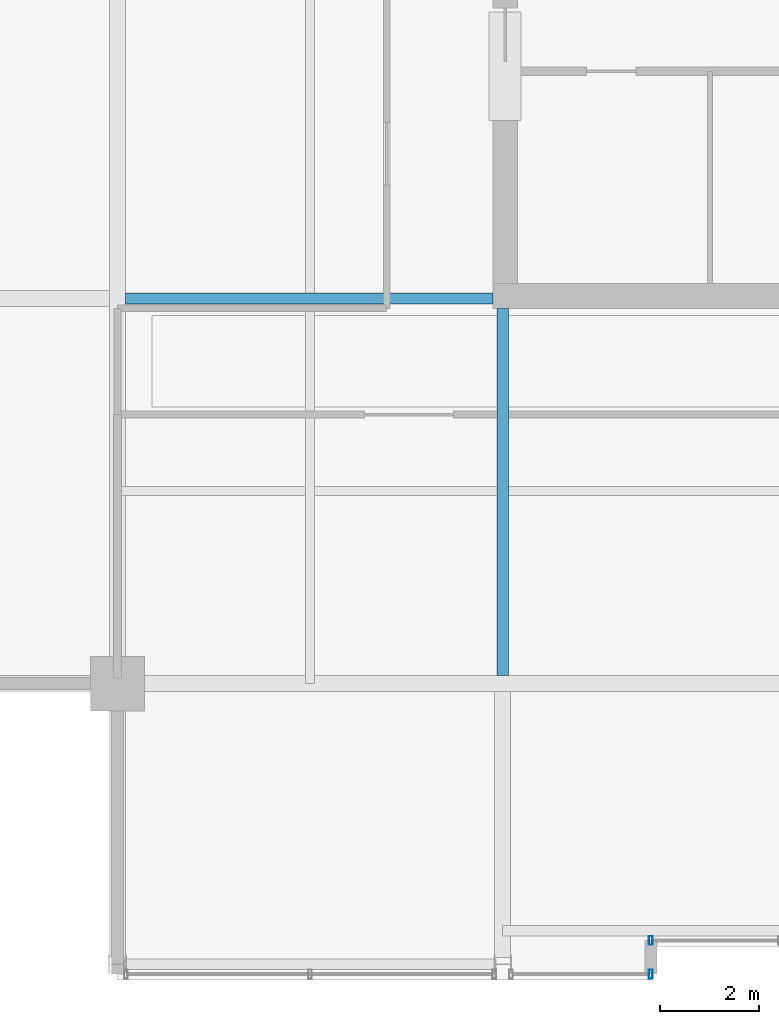
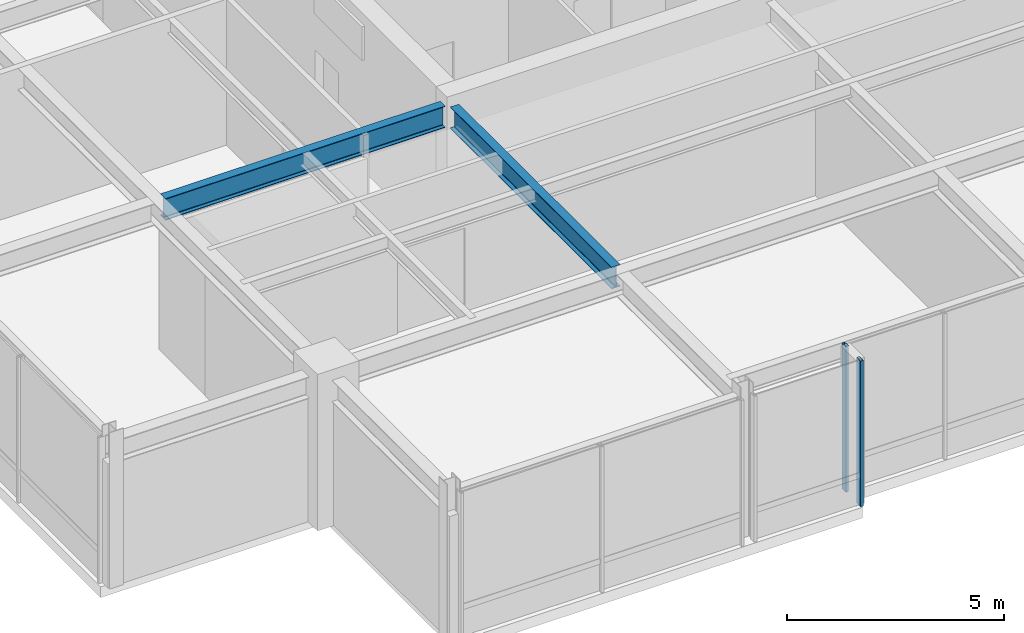
# One storey, part 7 of 34: 2 beams, 2 members, 2 elements without a shape of their own.
"""IFC4 building model written with IfcOpenShell, lengths in metres."""

from ifc_helpers import new_model, si_unit, direction, frame, origin, origin_2d, place, context, subcontext, project, spatial, hollow_rectangle, i_section, extrude, material, layer, layer_set, material_profile, profile_set, type_object, element, aggregate, save


model = new_model("IFC4")

# Units and contexts
model_context = context("Model", 3, precision=1e-05, world=origin(), true_north=direction((0.0, 1.0)))
body_context = subcontext(model_context, "Body", "Model", "MODEL_VIEW")
ifc_project = project(units=[si_unit("LENGTHUNIT", "METRE"), si_unit("AREAUNIT", "SQUARE_METRE"), si_unit("VOLUMEUNIT", "CUBIC_METRE"), si_unit("PLANEANGLEUNIT", "RADIAN"), si_unit("MASSUNIT", "GRAM", prefix="KILO")], contexts=[model_context])

# Site, building, storey
site_placement = place(None, origin())
site = spatial("IfcSite", under=ifc_project, at=site_placement, CompositionType="ELEMENT")
building_placement = place(site_placement, origin())
building = spatial("IfcBuilding", under=site, at=building_placement, Name="Drelvath Grand Hotel", CompositionType="ELEMENT")
storey_placement = place(building_placement, frame((0.0, 0.0, 294.199951171875)))
storey = spatial("IfcBuildingStorey", under=building, at=storey_placement, Name="L77", CompositionType="ELEMENT", Elevation=294.199951171875)

# Curtain wall, member
ifc_material_1 = material(Name="Platinum-Mist Anodised Aluminium Frame", Category="aluminium")
ifc_layer = layer(ifc_material_1, 0.199951171875)
ifc_layer_set = layer_set([ifc_layer], Name="Platinum-Mist Anodised Aluminium Frame")
curtain_wall_type = type_object("IfcCurtainWallType", Name="Stick Curtain Wall CW-05 Platinum Mist High-Rise", PredefinedType="NOTDEFINED", material=ifc_layer_set)
curtain_wall_1_placement = place(storey_placement, origin())
curtain_wall_1 = element("IfcCurtainWall", 1, at=curtain_wall_1_placement, inside=storey, type_object=curtain_wall_type, Name="L77 CW-05 Curtain Wall CW05-L77-SM1", PredefinedType="NOTDEFINED")
ifc_material_profile_1 = material_profile(ifc_material_1, hollow_rectangle(XDim=0.074951171875, YDim=0.179931640625, WallThickness=0.0048828125, at=origin_2d()), Name="HSS180X75X5")
ifc_profile_set_1 = profile_set([ifc_material_profile_1], Name="Platinum-Mist Anodised Aluminium Frame")
member_type = type_object("IfcMemberType", Name="Curtain Wall Vertical Mullion CW-05 HSS180X75X5", PredefinedType="MULLION", material=ifc_profile_set_1)
member_1_placement = place(storey_placement, frame((-5.39990234375, 5.60009765625, 0.0), z_axis=(0.0, 0.0, 1.0), x_axis=(1.0, 0.0, 0.0)))
member_1 = element("IfcMember", 2, at=member_1_placement, type_object=member_type, Name="CW05-L77-SM1 Mullion 3", PredefinedType="MULLION", context=body_context, shape_type="SweptSolid", body=[
    extrude(hollow_rectangle(XDim=0.074951171875, YDim=0.179931640625, WallThickness=0.0048828125, at=origin_2d()), origin(), (0.0, 0.0, 1.0), 4.10009765625),
])
aggregate(curtain_wall_1, [member_1])

curtain_wall_2_placement = place(storey_placement, origin())
curtain_wall_2 = element("IfcCurtainWall", 3, at=curtain_wall_2_placement, inside=storey, type_object=curtain_wall_type, Name="L77 CW-05 Curtain Wall CW05-L77-SW2", PredefinedType="NOTDEFINED")
member_2_placement = place(storey_placement, frame((-5.39990234375, 4.919921875, 0.0), z_axis=(0.0, 0.0, 1.0), x_axis=(1.0, 0.0, 0.0)))
member_2 = element("IfcMember", 4, at=member_2_placement, type_object=member_type, Name="CW05-L77-SW2 Mullion 1", PredefinedType="MULLION", context=body_context, shape_type="SweptSolid", body=[
    extrude(hollow_rectangle(XDim=0.074951171875, YDim=0.179931640625, WallThickness=0.0048828125, at=origin_2d()), origin(), (0.0, 0.0, 1.0), 4.10009765625),
])
aggregate(curtain_wall_2, [member_2])

# Beams
ifc_material_2 = material(Name="Steel ASTM A992 Gr 50", Category="steel")
ifc_material_profile_2 = material_profile(ifc_material_2, i_section(OverallWidth=0.228271484375, OverallDepth=0.607666015625, WebThickness=0.01123046875, FlangeThickness=0.017333984375, FilletRadius=0.02001953125, at=origin_2d()), Name="W24X76")
ifc_profile_set_2 = profile_set([ifc_material_profile_2], Name="Steel ASTM A992 Gr 50")
beam_type = type_object("IfcBeamType", Name="Primary Floor Girder W24X76", PredefinedType="BEAM", material=ifc_profile_set_2)
for number, where, z_axis, x_axis, name in (
    (5, (-16.0380859375, 18.60009765625, 3.796142578125), (1.0, 0.0, 0.0), (0.0, 1.0, 0.0), "L77 West Core Tie D"),
    (6, (-8.39990234375, 10.9619140625, 3.796142578125), (0.0, 1.0, 0.0), (-1.0, 0.0, 0.0), "L77 South Core Tie 4"),
):
    element("IfcBeam", number, at=place(storey_placement, frame(where, z_axis=z_axis, x_axis=x_axis)), inside=storey, type_object=beam_type, Name=name, PredefinedType="BEAM", context=body_context, shape_type="SweptSolid", body=[
        extrude(i_section(OverallWidth=0.228271484375, OverallDepth=0.607666015625, WebThickness=0.01123046875, FlangeThickness=0.017333984375, FilletRadius=0.02001953125, at=origin_2d()), origin(), (0.0, 0.0, 1.0), 7.43798828125),
    ])

save(model, "model.ifc")
